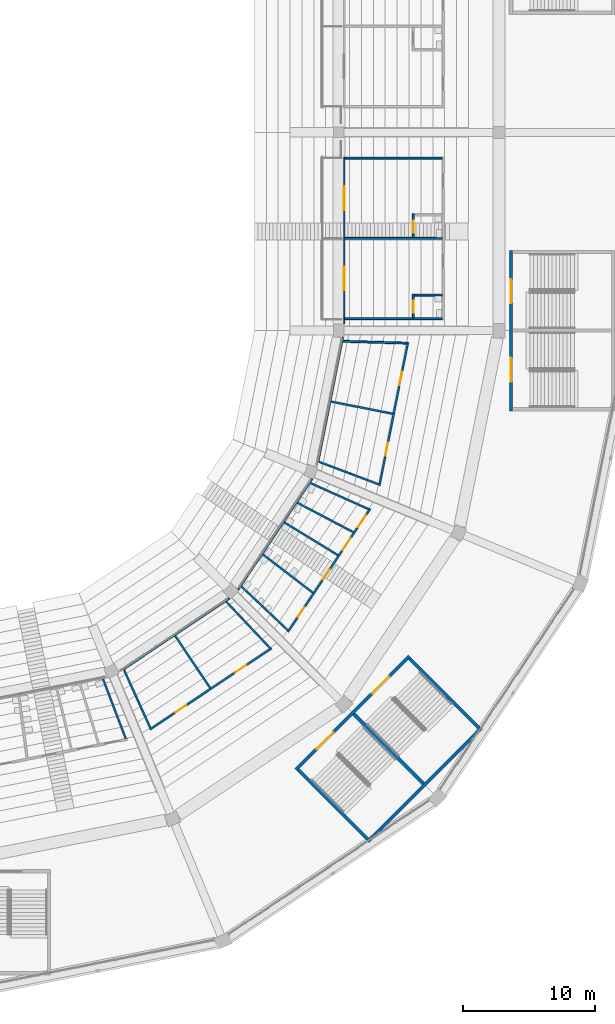
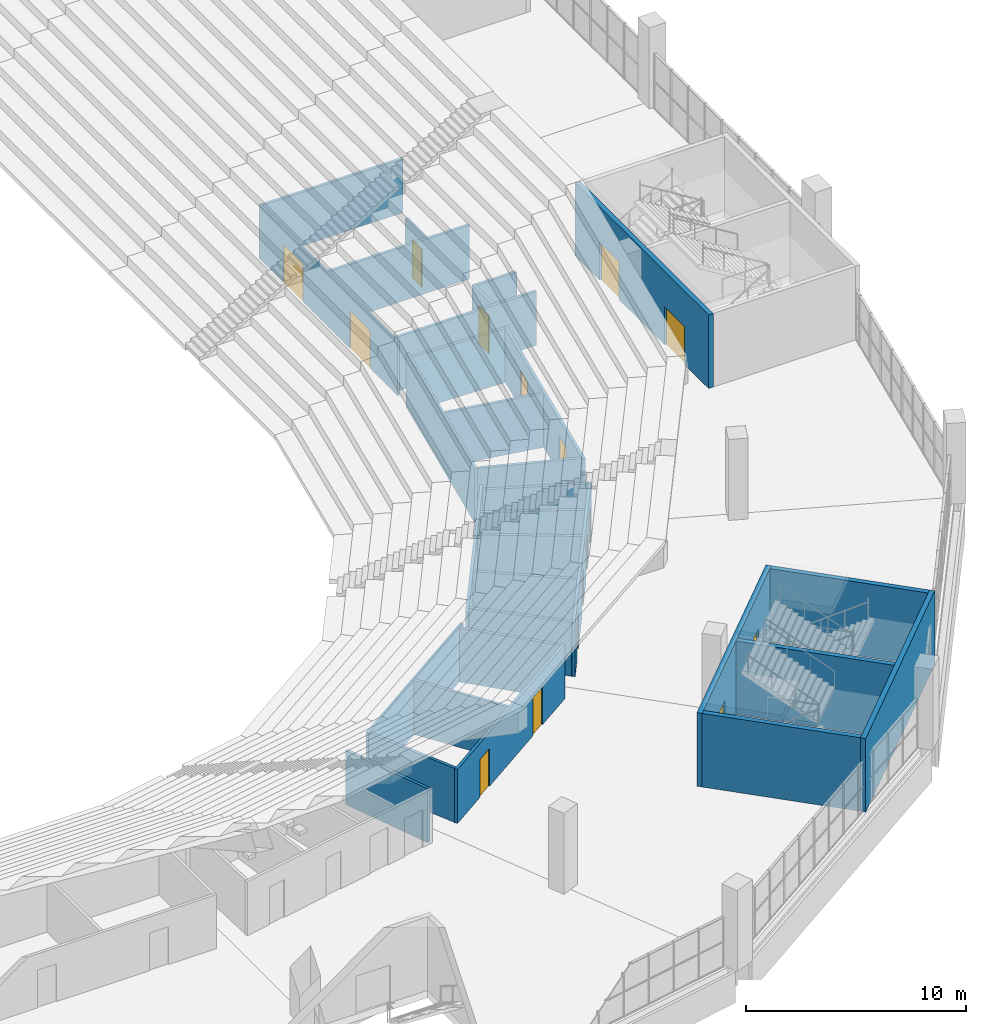
# One storey, part 91 of 249: 31 walls, 16 doors, 16 openings.
"""IFC4 building model written with IfcOpenShell, lengths in metres."""

from ifc_helpers import new_model, si_unit, direction, frame, frame_2d, origin, place, context, subcontext, project, spatial, rectangle, extrude, material, layer, layer_set, type_object, element, fill, save


model = new_model("IFC4")

# Units and contexts
model_context = context("Model", 3, precision=1e-05, world=origin(), true_north=direction((0.0, 1.0)))
body_context = subcontext(model_context, "Body", "Model", "MODEL_VIEW")
ifc_project = project(units=[si_unit("LENGTHUNIT", "METRE"), si_unit("AREAUNIT", "SQUARE_METRE"), si_unit("VOLUMEUNIT", "CUBIC_METRE"), si_unit("PLANEANGLEUNIT", "RADIAN"), si_unit("MASSUNIT", "GRAM", prefix="KILO")], contexts=[model_context])

# Site, building, storey
site_placement = place(None, origin())
site = spatial("IfcSite", under=ifc_project, at=site_placement, CompositionType="ELEMENT")
building_placement = place(site_placement, origin())
building = spatial("IfcBuilding", under=site, at=building_placement, Name="Ogive Plaza Stadium", CompositionType="ELEMENT")
storey_placement = place(building_placement, frame((0.0, 0.0, 13.5)))
storey = spatial("IfcBuildingStorey", under=building, at=storey_placement, Name="L03", CompositionType="ELEMENT", Elevation=13.5)

# Walls
ifc_material_1 = material(Name="Masonry blockwork", Category="masonry")
ifc_layer_1 = layer(ifc_material_1, 0.14990234375)
ifc_layer_set_1 = layer_set([ifc_layer_1], Name="Blockwork wall 150")
wall_type_1 = type_object("IfcWallType", Name="Blockwork wall 150", PredefinedType="SOLIDWALL", material=ifc_layer_set_1)
for number, where, z_axis, x_axis, name in (
    (1, (62.35009765625, -51.60009765625, 0.0), (0.0, 0.0, 1.0), (1.0, 0.0, 0.0), "Wall L03 B07"),
    (2, (62.35009765625, -45.52490234375, 0.0), (0.0, 0.0, 1.0), (1.0, 0.0, 0.0), "Wall L03 B07"),
    (3, (62.35009765625, -39.449951171875, 0.0), (0.0, 0.0, 1.0), (1.0, 0.0, 0.0), "Wall L03 B07"),
):
    element("IfcWall", number, at=place(storey_placement, frame(where, z_axis=z_axis, x_axis=x_axis)), inside=storey, type_object=wall_type_1, Name=name, PredefinedType="SOLIDWALL", context=body_context, shape_type="SweptSolid", body=[
        extrude(rectangle(XDim=7.375, YDim=0.14990234375, at=frame_2d((3.6875, 0.0))), origin(), (0.0, 0.0, 1.0), 3.0),
    ])
wall_1_placement = place(storey_placement, frame((62.200439453125, -53.0, 0.0), z_axis=(0.0, 0.0, 1.0), x_axis=(-0.195076647143, -0.980788000406, 0.0)))
element("IfcWall", 4, at=wall_1_placement, inside=storey, type_object=wall_type_1, Name="Wall L03 B08", PredefinedType="SOLIDWALL", context=body_context, shape_type="SweptSolid", body=[
    extrude(rectangle(XDim=9.666748046875, YDim=0.14990234375, at=frame_2d((4.83349609375, 0.0))), origin(), (0.0, 0.0, 1.0), 3.0),
])

# Wall, openings, doors
wall_2_placement = place(storey_placement, frame((67.1259765625, -53.374755859375, 0.0), z_axis=(0.0, 0.0, 1.0), x_axis=(-0.195090821685, -0.980785181013, 0.0)))
wall_2 = element("IfcWall", 5, at=wall_2_placement, inside=storey, type_object=wall_type_1, Name="Wall L03 B08", PredefinedType="SOLIDWALL", context=body_context, shape_type="SweptSolid", body=[
    extrude(rectangle(XDim=11.08251953125, YDim=0.14990234375, at=frame_2d((5.541259765625, 0.0))), origin(), (0.0, 0.0, 1.0), 3.0),
])
opening_1_placement = place(wall_2_placement, frame((2.311279296875, 0.0, 0.0)))
opening_1 = element("IfcOpeningElement", 6, at=opening_1_placement, cuts=wall_2, Name="Opening D0787", PredefinedType="OPENING", context=body_context, shape_type="SweptSolid", body=[
    extrude(rectangle(XDim=1.0, YDim=2.10009765625, at=frame_2d((0.5, 1.050048828125))), frame((0.0, 0.074951171875, 0.0), z_axis=(0.0, -1.0, 0.0), x_axis=(1.0, 0.0, 0.0)), (0.0, 0.0, 1.0), 0.14990234375),
])
opening_2_placement = place(wall_2_placement, frame((7.771240234375, 0.0, 0.0)))
opening_2 = element("IfcOpeningElement", 7, at=opening_2_placement, cuts=wall_2, Name="Opening D0788", PredefinedType="OPENING", context=body_context, shape_type="SweptSolid", body=[
    extrude(rectangle(XDim=1.0, YDim=2.10009765625, at=frame_2d((0.5, 1.050048828125))), frame((0.0, 0.074951171875, 0.0), z_axis=(0.0, -1.0, 0.0), x_axis=(1.0, 0.0, 0.0)), (0.0, 0.0, 1.0), 0.14990234375),
])
ifc_material_2 = material(Name="Steel ASTM A572 Grade 50", Category="steel")
door_type_1 = type_object("IfcDoorType", Name="Fire door FD60 1000 x 2100", OperationType="SINGLE_SWING_LEFT", PredefinedType="DOOR", material=ifc_material_2)
door_1_placement = place(opening_1_placement, origin())
door_1 = element("IfcDoor", 8, at=door_1_placement, inside=storey, type_object=door_type_1, Name="Hospitality Pantry B08 door", OperationType="SINGLE_SWING_LEFT", OverallHeight=2.10009765625, OverallWidth=1.0, PredefinedType="DOOR", context=body_context, shape_type="SweptSolid", body=[
    extrude(rectangle(XDim=1.0, YDim=2.10009765625, at=frame_2d((0.5, 1.050048828125))), frame((0.0, 0.02490234375, 0.0), z_axis=(0.0, -1.0, 0.0), x_axis=(1.0, 0.0, 0.0)), (0.0, 0.0, 1.0), 0.050048828125),
])
fill(opening_1, door_1)
door_2_placement = place(opening_2_placement, origin())
door_2 = element("IfcDoor", 9, at=door_2_placement, inside=storey, type_object=door_type_1, Name="Hospitality Store B08 door", OperationType="SINGLE_SWING_RIGHT", OverallHeight=2.10009765625, OverallWidth=1.0, PredefinedType="DOOR", context=body_context, shape_type="SweptSolid", body=[
    extrude(rectangle(XDim=1.0, YDim=2.10009765625, at=frame_2d((0.5, 1.050048828125))), frame((0.0, 0.02490234375, 0.0), z_axis=(0.0, -1.0, 0.0), x_axis=(1.0, 0.0, 0.0)), (0.0, 0.0, 1.0), 0.050048828125),
])
fill(opening_2, door_2)

# Walls
wall_3_placement = place(storey_placement, frame((62.213134765625, -53.313232421875, 0.0), z_axis=(0.0, 0.0, 1.0), x_axis=(0.999585372371, -0.028793807365, 0.0)))
element("IfcWall", 10, at=wall_3_placement, inside=storey, type_object=wall_type_1, Name="Wall L03 B08", PredefinedType="SOLIDWALL", context=body_context, shape_type="SweptSolid", body=[
    extrude(rectangle(XDim=4.824462890625, YDim=0.14990234375, at=frame_2d((2.412109375, 0.0))), origin(), (0.0, 0.0, 1.0), 3.0),
])
wall_4_placement = place(storey_placement, frame((61.3056640625, -57.87646484375, 0.0), z_axis=(0.0, 0.0, 1.0), x_axis=(0.98116065749, -0.193193592529, 0.0)))
element("IfcWall", 11, at=wall_4_placement, inside=storey, type_object=wall_type_1, Name="Wall L03 B08", PredefinedType="SOLIDWALL", context=body_context, shape_type="SweptSolid", body=[
    extrude(rectangle(XDim=4.756591796875, YDim=0.14990234375, at=frame_2d((2.37841796875, 0.0))), origin(), (0.0, 0.0, 1.0), 3.0),
])
wall_5_placement = place(storey_placement, frame((60.39794921875, -62.439697265625, 0.0), z_axis=(0.0, 0.0, 1.0), x_axis=(0.935851757489, -0.35239393866, 0.0)))
element("IfcWall", 12, at=wall_5_placement, inside=storey, type_object=wall_type_1, Name="Wall L03 B08", PredefinedType="SOLIDWALL", context=body_context, shape_type="SweptSolid", body=[
    extrude(rectangle(XDim=4.8212890625, YDim=0.14990234375, at=frame_2d((2.41064453125, 0.0))), origin(), (0.0, 0.0, 1.0), 3.0),
])
wall_6_placement = place(storey_placement, frame((53.629638671875, -72.76611328125, 0.0), z_axis=(0.0, 0.0, 1.0), x_axis=(-0.831481684117, -0.555552165847, 0.0)))
element("IfcWall", 13, at=wall_6_placement, inside=storey, type_object=wall_type_1, Name="Wall L03 B10", PredefinedType="SOLIDWALL", context=body_context, shape_type="SweptSolid", body=[
    extrude(rectangle(XDim=9.7177734375, YDim=0.14990234375, at=frame_2d((4.85888671875, 0.0))), origin(), (0.0, 0.0, 1.0), 3.0),
])

# Wall, openings, doors
wall_7_placement = place(storey_placement, frame((56.804931640625, -76.542236328125, 0.0), z_axis=(0.0, 0.0, 1.0), x_axis=(-0.831470287315, -0.555569222791, 0.0)))
wall_7 = element("IfcWall", 14, at=wall_7_placement, inside=storey, type_object=wall_type_1, Name="Wall L03 B10", PredefinedType="SOLIDWALL", context=body_context, shape_type="SweptSolid", body=[
    extrude(rectangle(XDim=11.082275390625, YDim=0.14990234375, at=frame_2d((5.541015625, 0.0))), origin(), (0.0, 0.0, 1.0), 3.0),
])
opening_3_placement = place(wall_7_placement, frame((2.311279296875, 0.0, 0.0)))
opening_3 = element("IfcOpeningElement", 15, at=opening_3_placement, cuts=wall_7, Name="Opening D0793", PredefinedType="OPENING", context=body_context, shape_type="SweptSolid", body=[
    extrude(rectangle(XDim=1.0, YDim=2.10009765625, at=frame_2d((0.5, 1.050048828125))), frame((0.0, 0.074951171875, 0.0), z_axis=(0.0, -1.0, 0.0), x_axis=(1.0, 0.0, 0.0)), (0.0, 0.0, 1.0), 0.14990234375),
])
opening_4_placement = place(wall_7_placement, frame((7.771240234375, 0.0, 0.0)))
opening_4 = element("IfcOpeningElement", 16, at=opening_4_placement, cuts=wall_7, Name="Opening D0794", PredefinedType="OPENING", context=body_context, shape_type="SweptSolid", body=[
    extrude(rectangle(XDim=1.0, YDim=2.10009765625, at=frame_2d((0.5, 1.050048828125))), frame((0.0, 0.074951171875, 0.0), z_axis=(0.0, -1.0, 0.0), x_axis=(1.0, 0.0, 0.0)), (0.0, 0.0, 1.0), 0.14990234375),
])
door_3_placement = place(opening_3_placement, origin())
door_3 = element("IfcDoor", 17, at=door_3_placement, inside=storey, type_object=door_type_1, Name="Hospitality Pantry B10 door", OperationType="SINGLE_SWING_LEFT", OverallHeight=2.10009765625, OverallWidth=1.0, PredefinedType="DOOR", context=body_context, shape_type="SweptSolid", body=[
    extrude(rectangle(XDim=1.0, YDim=2.10009765625, at=frame_2d((0.5, 1.050048828125))), frame((0.0, 0.02490234375, 0.0), z_axis=(0.0, -1.0, 0.0), x_axis=(1.0, 0.0, 0.0)), (0.0, 0.0, 1.0), 0.050048828125),
])
fill(opening_3, door_3)
door_4_placement = place(opening_4_placement, origin())
door_4 = element("IfcDoor", 18, at=door_4_placement, inside=storey, type_object=door_type_1, Name="Hospitality Store B10 door", OperationType="SINGLE_SWING_RIGHT", OverallHeight=2.10009765625, OverallWidth=1.0, PredefinedType="DOOR", context=body_context, shape_type="SweptSolid", body=[
    extrude(rectangle(XDim=1.0, YDim=2.10009765625, at=frame_2d((0.5, 1.050048828125))), frame((0.0, 0.02490234375, 0.0), z_axis=(0.0, -1.0, 0.0), x_axis=(1.0, 0.0, 0.0)), (0.0, 0.0, 1.0), 0.050048828125),
])
fill(opening_4, door_4)

# Walls
wall_8_placement = place(storey_placement, frame((53.374755859375, -73.02490234375, 0.0), z_axis=(0.0, 0.0, 1.0), x_axis=(0.686443701672, -0.727182951144, 0.0)))
element("IfcWall", 19, at=wall_8_placement, inside=storey, type_object=wall_type_1, Name="Wall L03 B10", PredefinedType="SOLIDWALL", context=body_context, shape_type="SweptSolid", body=[
    extrude(rectangle(XDim=4.82421875, YDim=0.14990234375, at=frame_2d((2.412109375, 0.0))), origin(), (0.0, 0.0, 1.0), 3.0),
])
wall_9_placement = place(storey_placement, frame((49.50634765625, -75.609619140625, 0.0), z_axis=(0.0, 0.0, 1.0), x_axis=(0.557185009832, -0.830388381915, 0.0)))
element("IfcWall", 20, at=wall_9_placement, inside=storey, type_object=wall_type_1, Name="Wall L03 B10", PredefinedType="SOLIDWALL", context=body_context, shape_type="SweptSolid", body=[
    extrude(rectangle(XDim=4.7568359375, YDim=0.14990234375, at=frame_2d((2.37841796875, 0.0))), origin(), (0.0, 0.0, 1.0), 3.0),
])
wall_10_placement = place(storey_placement, frame((45.6376953125, -78.194580078125, 0.0), z_axis=(0.0, 0.0, 1.0), x_axis=(0.412593178732, -0.910915401596, 0.0)))
element("IfcWall", 21, at=wall_10_placement, inside=storey, type_object=wall_type_1, Name="Wall L03 B10", PredefinedType="SOLIDWALL", context=body_context, shape_type="SweptSolid", body=[
    extrude(rectangle(XDim=4.8212890625, YDim=0.14990234375, at=frame_2d((2.41064453125, 0.0))), origin(), (0.0, 0.0, 1.0), 3.0),
])

# Wall, openings, doors
ifc_material_3 = material(Name="Concrete C40/50", Category="concrete")
ifc_layer_2 = layer(ifc_material_3, 0.25)
ifc_layer_set_2 = layer_set([ifc_layer_2], Name="Concrete C40/50")
wall_type_2 = type_object("IfcWallType", Name="Core wall 250", PredefinedType="SHEAR", material=ifc_layer_set_2)
wall_11_placement = place(storey_placement, frame((74.925048828125, -58.574951171875, 0.0), z_axis=(0.0, 0.0, 1.0), x_axis=(0.0, 1.0, 0.0)))
wall_11 = element("IfcWall", 22, at=wall_11_placement, inside=storey, type_object=wall_type_2, Name="Stair core R08 inner wall", PredefinedType="SHEAR", context=body_context, shape_type="SweptSolid", body=[
    extrude(rectangle(XDim=12.14990234375, YDim=0.25, at=frame_2d((6.074951171875, 0.0))), origin(), (0.0, 0.0, 1.0), 4.090087890625),
])
opening_5_placement = place(wall_11_placement, frame((2.199951171875, 0.0, 0.0)))
opening_5 = element("IfcOpeningElement", 23, at=opening_5_placement, cuts=wall_11, Name="Opening D0087", PredefinedType="OPENING", context=body_context, shape_type="SweptSolid", body=[
    extrude(rectangle(XDim=1.800048828125, YDim=2.10009765625, at=frame_2d((0.89990234375, 1.050048828125))), frame((0.0, 0.125, 0.0), z_axis=(0.0, -1.0, 0.0), x_axis=(1.0, 0.0, 0.0)), (0.0, 0.0, 1.0), 0.25),
])
opening_6_placement = place(wall_11_placement, frame((8.14990234375, 0.0, 0.0)))
opening_6 = element("IfcOpeningElement", 24, at=opening_6_placement, cuts=wall_11, Name="Opening D0088", PredefinedType="OPENING", context=body_context, shape_type="SweptSolid", body=[
    extrude(rectangle(XDim=1.800048828125, YDim=2.10009765625, at=frame_2d((0.89990234375, 1.050048828125))), frame((0.0, 0.125, 0.0), z_axis=(0.0, -1.0, 0.0), x_axis=(1.0, 0.0, 0.0)), (0.0, 0.0, 1.0), 0.25),
])
ifc_material_4 = material(Name="Steel ASTM A572 Grade 50", Category="steel")
door_type_2 = type_object("IfcDoorType", Name="Fire door FD90 pair 1800 x 2100", OperationType="DOUBLE_DOOR_SINGLE_SWING", PredefinedType="DOOR", material=ifc_material_4)
door_5_placement = place(opening_5_placement, origin())
door_5 = element("IfcDoor", 25, at=door_5_placement, inside=storey, type_object=door_type_2, Name="Exit stair R08A door L03", OperationType="DOUBLE_DOOR_SINGLE_SWING", OverallHeight=2.10009765625, OverallWidth=1.800048828125, PredefinedType="DOOR", context=body_context, shape_type="SweptSolid", body=[
    extrude(rectangle(XDim=1.800048828125, YDim=2.10009765625, at=frame_2d((0.89990234375, 1.050048828125))), frame((0.0, 0.02490234375, 0.0), z_axis=(0.0, -1.0, 0.0), x_axis=(1.0, 0.0, 0.0)), (0.0, 0.0, 1.0), 0.050048828125),
])
fill(opening_5, door_5)
door_6_placement = place(opening_6_placement, origin())
door_6 = element("IfcDoor", 26, at=door_6_placement, inside=storey, type_object=door_type_2, Name="Exit stair R08B door L03", OperationType="DOUBLE_DOOR_SINGLE_SWING", OverallHeight=2.10009765625, OverallWidth=1.800048828125, PredefinedType="DOOR", context=body_context, shape_type="SweptSolid", body=[
    extrude(rectangle(XDim=1.800048828125, YDim=2.10009765625, at=frame_2d((0.89990234375, 1.050048828125))), frame((0.0, 0.02490234375, 0.0), z_axis=(0.0, -1.0, 0.0), x_axis=(1.0, 0.0, 0.0)), (0.0, 0.0, 1.0), 0.050048828125),
])
fill(opening_6, door_6)

wall_12_placement = place(storey_placement, frame((58.642578125, -85.734130859375, 0.0), z_axis=(0.0, 0.0, 1.0), x_axis=(0.707106781187, 0.707106781187, 0.0)))
wall_12 = element("IfcWall", 27, at=wall_12_placement, inside=storey, type_object=wall_type_2, Name="Stair core R10 inner wall", PredefinedType="SHEAR", context=body_context, shape_type="SweptSolid", body=[
    extrude(rectangle(XDim=12.150390625, YDim=0.25, at=frame_2d((6.0751953125, 0.0))), origin(), (0.0, 0.0, 1.0), 4.090087890625),
])
opening_7_placement = place(wall_12_placement, frame((2.199951171875, 0.0, 0.0)))
opening_7 = element("IfcOpeningElement", 28, at=opening_7_placement, cuts=wall_12, Name="Opening D0099", PredefinedType="OPENING", context=body_context, shape_type="SweptSolid", body=[
    extrude(rectangle(XDim=1.800048828125, YDim=2.10009765625, at=frame_2d((0.89990234375, 1.050048828125))), frame((0.0, 0.125, 0.0), z_axis=(0.0, -1.0, 0.0), x_axis=(1.0, 0.0, 0.0)), (0.0, 0.0, 1.0), 0.25),
])
opening_8_placement = place(wall_12_placement, frame((8.14990234375, 0.0, 0.0)))
opening_8 = element("IfcOpeningElement", 29, at=opening_8_placement, cuts=wall_12, Name="Opening D0100", PredefinedType="OPENING", context=body_context, shape_type="SweptSolid", body=[
    extrude(rectangle(XDim=1.800048828125, YDim=2.10009765625, at=frame_2d((0.89990234375, 1.050048828125))), frame((0.0, 0.125, 0.0), z_axis=(0.0, -1.0, 0.0), x_axis=(1.0, 0.0, 0.0)), (0.0, 0.0, 1.0), 0.25),
])
door_7_placement = place(opening_7_placement, origin())
door_7 = element("IfcDoor", 30, at=door_7_placement, inside=storey, type_object=door_type_2, Name="Exit stair R10A door L03", OperationType="DOUBLE_DOOR_SINGLE_SWING", OverallHeight=2.10009765625, OverallWidth=1.800048828125, PredefinedType="DOOR", context=body_context, shape_type="SweptSolid", body=[
    extrude(rectangle(XDim=1.800048828125, YDim=2.10009765625, at=frame_2d((0.89990234375, 1.050048828125))), frame((0.0, 0.02490234375, 0.0), z_axis=(0.0, -1.0, 0.0), x_axis=(1.0, 0.0, 0.0)), (0.0, 0.0, 1.0), 0.050048828125),
])
fill(opening_7, door_7)
door_8_placement = place(opening_8_placement, origin())
door_8 = element("IfcDoor", 31, at=door_8_placement, inside=storey, type_object=door_type_2, Name="Exit stair R10B door L03", OperationType="DOUBLE_DOOR_SINGLE_SWING", OverallHeight=2.10009765625, OverallWidth=1.800048828125, PredefinedType="DOOR", context=body_context, shape_type="SweptSolid", body=[
    extrude(rectangle(XDim=1.800048828125, YDim=2.10009765625, at=frame_2d((0.89990234375, 1.050048828125))), frame((0.0, 0.02490234375, 0.0), z_axis=(0.0, -1.0, 0.0), x_axis=(1.0, 0.0, 0.0)), (0.0, 0.0, 1.0), 0.050048828125),
])
fill(opening_8, door_8)

# Walls
wall_13_placement = place(storey_placement, frame((64.094482421875, -91.185791015625, 0.0), z_axis=(0.0, 0.0, 1.0), x_axis=(0.707106781187, 0.707106781187, 0.0)))
element("IfcWall", 32, at=wall_13_placement, inside=storey, type_object=wall_type_2, Name="Stair core R10 outer wall", PredefinedType="SHEAR", context=body_context, shape_type="SweptSolid", body=[
    extrude(rectangle(XDim=12.14990234375, YDim=0.25, at=frame_2d((6.074951171875, 0.0))), origin(), (0.0, 0.0, 1.0), 4.090087890625),
])
for number, where, z_axis, x_axis, name in (
    (33, (58.8193359375, -85.734130859375, 0.0), (0.0, 0.0, 1.0), (0.707123144286, -0.707090417709, 0.0), "Stair core R10 side wall"),
    (34, (67.234130859375, -77.3193359375, 0.0), (0.0, 0.0, 1.0), (0.707090417709, -0.707123144286, 0.0), "Stair core R10 side wall"),
):
    element("IfcWall", number, at=place(storey_placement, frame(where, z_axis=z_axis, x_axis=x_axis)), inside=storey, type_object=wall_type_2, Name=name, PredefinedType="SHEAR", context=body_context, shape_type="SweptSolid", body=[
        extrude(rectangle(XDim=7.4599609375, YDim=0.25, at=frame_2d((3.72998046875, 0.0))), origin(), (0.0, 0.0, 1.0), 4.090087890625),
    ])
wall_14_placement = place(storey_placement, frame((63.026611328125, -81.526611328125, 0.0), z_axis=(0.0, 0.0, 1.0), x_axis=(0.707106781187, -0.707106781187, 0.0)))
element("IfcWall", 35, at=wall_14_placement, inside=storey, type_object=wall_type_2, Name="Stair core R10 centre wall", PredefinedType="SHEAR", context=body_context, shape_type="SweptSolid", body=[
    extrude(rectangle(XDim=7.460205078125, YDim=0.25, at=frame_2d((3.72998046875, 0.0))), origin(), (0.0, 0.0, 1.0), 4.090087890625),
])

# Wall, openings, doors
ifc_material_5 = material(Name="Laminated glass in aluminium frame", Category="aluminium")
ifc_layer_3 = layer(ifc_material_5, 0.10009765625)
ifc_layer_set_3 = layer_set([ifc_layer_3], Name="Glazed partition 100")
wall_type_3 = type_object("IfcWallType", Name="Glazed partition 100", PredefinedType="PARTITIONING", material=ifc_layer_set_3)
wall_15_placement = place(storey_placement, frame((62.300048828125, -52.0, 0.0), z_axis=(0.0, 0.0, 1.0), x_axis=(0.0, 1.0, 0.0)))
wall_15 = element("IfcWall", 36, at=wall_15_placement, inside=storey, type_object=wall_type_3, Name="Wall L03 B07", PredefinedType="PARTITIONING", context=body_context, shape_type="SweptSolid", body=[
    extrude(rectangle(XDim=12.625, YDim=0.10009765625, at=frame_2d((6.3125, 0.0))), origin(), (0.0, 0.0, 1.0), 3.0),
])
opening_9_placement = place(wall_15_placement, frame((2.53759765625, 0.0, 0.0)))
opening_9 = element("IfcOpeningElement", 37, at=opening_9_placement, cuts=wall_15, Name="Opening D0783", PredefinedType="OPENING", context=body_context, shape_type="SweptSolid", body=[
    extrude(rectangle(XDim=1.800048828125, YDim=2.10009765625, at=frame_2d((0.89990234375, 1.050048828125))), frame((0.0, 0.050048828125, 0.0), z_axis=(0.0, -1.0, 0.0), x_axis=(1.0, 0.0, 0.0)), (0.0, 0.0, 1.0), 0.10009765625),
])
opening_10_placement = place(wall_15_placement, frame((8.612548828125, 0.0, 0.0)))
opening_10 = element("IfcOpeningElement", 38, at=opening_10_placement, cuts=wall_15, Name="Opening D0784", PredefinedType="OPENING", context=body_context, shape_type="SweptSolid", body=[
    extrude(rectangle(XDim=1.800048828125, YDim=2.10009765625, at=frame_2d((0.89990234375, 1.050048828125))), frame((0.0, 0.050048828125, 0.0), z_axis=(0.0, -1.0, 0.0), x_axis=(1.0, 0.0, 0.0)), (0.0, 0.0, 1.0), 0.10009765625),
])
ifc_material_6 = material(Name="Steel ASTM A572 Grade 50", Category="steel")
door_type_3 = type_object("IfcDoorType", Name="Door pair 1800 x 2100", OperationType="DOUBLE_DOOR_SINGLE_SWING", PredefinedType="DOOR", material=ifc_material_6)
door_9_placement = place(opening_9_placement, origin())
door_9 = element("IfcDoor", 39, at=door_9_placement, inside=storey, type_object=door_type_3, Name="Suite terrace door B07", OperationType="DOUBLE_DOOR_SINGLE_SWING", OverallHeight=2.10009765625, OverallWidth=1.800048828125, PredefinedType="DOOR", context=body_context, shape_type="SweptSolid", body=[
    extrude(rectangle(XDim=1.800048828125, YDim=2.10009765625, at=frame_2d((0.89990234375, 1.050048828125))), frame((0.0, 0.02490234375, 0.0), z_axis=(0.0, -1.0, 0.0), x_axis=(1.0, 0.0, 0.0)), (0.0, 0.0, 1.0), 0.050048828125),
])
fill(opening_9, door_9)
door_10_placement = place(opening_10_placement, origin())
door_10 = element("IfcDoor", 40, at=door_10_placement, inside=storey, type_object=door_type_3, Name="Suite terrace door B07", OperationType="DOUBLE_DOOR_SINGLE_SWING", OverallHeight=2.10009765625, OverallWidth=1.800048828125, PredefinedType="DOOR", context=body_context, shape_type="SweptSolid", body=[
    extrude(rectangle(XDim=1.800048828125, YDim=2.10009765625, at=frame_2d((0.89990234375, 1.050048828125))), frame((0.0, 0.02490234375, 0.0), z_axis=(0.0, -1.0, 0.0), x_axis=(1.0, 0.0, 0.0)), (0.0, 0.0, 1.0), 0.050048828125),
])
fill(opening_10, door_10)

# Wall, opening, door
ifc_material_7 = material(Name="Gypsum board partition", Category="gypsum")
ifc_layer_4 = layer(ifc_material_7, 0.14990234375)
ifc_layer_set_4 = layer_set([ifc_layer_4], Name="Partition 150")
wall_type_4 = type_object("IfcWallType", Name="Partition 150", PredefinedType="PARTITIONING", material=ifc_layer_set_4)
wall_16_placement = place(storey_placement, frame((67.52490234375, -51.52490234375, 0.0), z_axis=(0.0, 0.0, 1.0), x_axis=(0.0, 1.0, 0.0)))
wall_16 = element("IfcWall", 41, at=wall_16_placement, inside=storey, type_object=wall_type_4, Name="Wall L03 B07", PredefinedType="PARTITIONING", context=body_context, shape_type="SweptSolid", body=[
    extrude(rectangle(XDim=1.77490234375, YDim=0.14990234375, at=frame_2d((0.887451171875, 0.0))), origin(), (0.0, 0.0, 1.0), 3.0),
])
opening_11_placement = place(wall_16_placement, frame((0.362548828125, 0.0, 0.0)))
opening_11 = element("IfcOpeningElement", 42, at=opening_11_placement, cuts=wall_16, Name="Opening D0785", PredefinedType="OPENING", context=body_context, shape_type="SweptSolid", body=[
    extrude(rectangle(XDim=0.89990234375, YDim=2.10009765625, at=frame_2d((0.449951171875, 1.050048828125))), frame((0.0, 0.074951171875, 0.0), z_axis=(0.0, -1.0, 0.0), x_axis=(1.0, 0.0, 0.0)), (0.0, 0.0, 1.0), 0.14990234375),
])
ifc_material_8 = material(Name="Steel ASTM A572 Grade 50", Category="steel")
door_type_4 = type_object("IfcDoorType", Name="Door 900 x 2100", OperationType="SINGLE_SWING_LEFT", PredefinedType="DOOR", material=ifc_material_8)
door_11_placement = place(opening_11_placement, origin())
door_11 = element("IfcDoor", 43, at=door_11_placement, inside=storey, type_object=door_type_4, Name="Suite WC B07 door", OperationType="SINGLE_SWING_RIGHT", OverallHeight=2.10009765625, OverallWidth=0.89990234375, PredefinedType="DOOR", context=body_context, shape_type="SweptSolid", body=[
    extrude(rectangle(XDim=0.89990234375, YDim=2.10009765625, at=frame_2d((0.449951171875, 1.050048828125))), frame((0.0, 0.02490234375, 0.0), z_axis=(0.0, -1.0, 0.0), x_axis=(1.0, 0.0, 0.0)), (0.0, 0.0, 1.0), 0.050048828125),
])
fill(opening_11, door_11)

# Wall
wall_17_placement = place(storey_placement, frame((67.60009765625, -49.824951171875, 0.0), z_axis=(0.0, 0.0, 1.0), x_axis=(1.0, 0.0, 0.0)))
element("IfcWall", 44, at=wall_17_placement, inside=storey, type_object=wall_type_4, Name="Wall L03 B07", PredefinedType="PARTITIONING", context=body_context, shape_type="SweptSolid", body=[
    extrude(rectangle(XDim=2.125, YDim=0.14990234375, at=frame_2d((1.0625, 0.0))), origin(), (0.0, 0.0, 1.0), 3.0),
])

# Wall, opening, door
wall_18_placement = place(storey_placement, frame((67.52490234375, -45.449951171875, 0.0), z_axis=(0.0, 0.0, 1.0), x_axis=(0.0, 1.0, 0.0)))
wall_18 = element("IfcWall", 45, at=wall_18_placement, inside=storey, type_object=wall_type_4, Name="Wall L03 B07", PredefinedType="PARTITIONING", context=body_context, shape_type="SweptSolid", body=[
    extrude(rectangle(XDim=1.77490234375, YDim=0.14990234375, at=frame_2d((0.887451171875, 0.0))), origin(), (0.0, 0.0, 1.0), 3.0),
])
opening_12_placement = place(wall_18_placement, frame((0.362548828125, 0.0, 0.0)))
opening_12 = element("IfcOpeningElement", 46, at=opening_12_placement, cuts=wall_18, Name="Opening D0786", PredefinedType="OPENING", context=body_context, shape_type="SweptSolid", body=[
    extrude(rectangle(XDim=0.89990234375, YDim=2.10009765625, at=frame_2d((0.449951171875, 1.050048828125))), frame((0.0, 0.074951171875, 0.0), z_axis=(0.0, -1.0, 0.0), x_axis=(1.0, 0.0, 0.0)), (0.0, 0.0, 1.0), 0.14990234375),
])
door_12_placement = place(opening_12_placement, origin())
door_12 = element("IfcDoor", 47, at=door_12_placement, inside=storey, type_object=door_type_4, Name="Suite WC B07 door", OperationType="SINGLE_SWING_LEFT", OverallHeight=2.10009765625, OverallWidth=0.89990234375, PredefinedType="DOOR", context=body_context, shape_type="SweptSolid", body=[
    extrude(rectangle(XDim=0.89990234375, YDim=2.10009765625, at=frame_2d((0.449951171875, 1.050048828125))), frame((0.0, 0.02490234375, 0.0), z_axis=(0.0, -1.0, 0.0), x_axis=(1.0, 0.0, 0.0)), (0.0, 0.0, 1.0), 0.050048828125),
])
fill(opening_12, door_12)

# Wall
wall_19_placement = place(storey_placement, frame((54.26611328125, -72.129638671875, 0.0), z_axis=(0.0, 0.0, 1.0), x_axis=(0.555562437394, 0.83147482112, 0.0)))
element("IfcWall", 48, at=wall_19_placement, inside=storey, type_object=wall_type_4, Name="Wall L03 B09", PredefinedType="PARTITIONING", context=body_context, shape_type="SweptSolid", body=[
    extrude(rectangle(XDim=10.12451171875, YDim=0.14990234375, at=frame_2d((5.062255859375, 0.0))), origin(), (0.0, 0.0, 1.0), 3.0),
])

# Wall, openings, doors
wall_20_placement = place(storey_placement, frame((58.042236328125, -75.304931640625, 0.0), z_axis=(0.0, 0.0, 1.0), x_axis=(0.555569460176, 0.8314701287, 0.0)))
wall_20 = element("IfcWall", 49, at=wall_20_placement, inside=storey, type_object=wall_type_4, Name="Wall L03 B09", PredefinedType="PARTITIONING", context=body_context, shape_type="SweptSolid", body=[
    extrude(rectangle(XDim=11.208740234375, YDim=0.14990234375, at=frame_2d((5.6044921875, 0.0))), origin(), (0.0, 0.0, 1.0), 3.0),
])
opening_13_placement = place(wall_20_placement, frame((1.34326171875, 0.0, 0.0)))
opening_13 = element("IfcOpeningElement", 50, at=opening_13_placement, cuts=wall_20, Name="Opening D0789", PredefinedType="OPENING", context=body_context, shape_type="SweptSolid", body=[
    extrude(rectangle(XDim=0.89990234375, YDim=2.10009765625, at=frame_2d((0.449951171875, 1.050048828125))), frame((0.0, 0.074951171875, 0.0), z_axis=(0.0, -1.0, 0.0), x_axis=(1.0, 0.0, 0.0)), (0.0, 0.0, 1.0), 0.14990234375),
])
opening_14_placement = place(wall_20_placement, frame((4.767822265625, 0.0, 0.0)))
opening_14 = element("IfcOpeningElement", 51, at=opening_14_placement, cuts=wall_20, Name="Opening D0790", PredefinedType="OPENING", context=body_context, shape_type="SweptSolid", body=[
    extrude(rectangle(XDim=0.89990234375, YDim=2.10009765625, at=frame_2d((0.449951171875, 1.050048828125))), frame((0.0, 0.074951171875, 0.0), z_axis=(0.0, -1.0, 0.0), x_axis=(1.0, 0.0, 0.0)), (0.0, 0.0, 1.0), 0.14990234375),
])
opening_15_placement = place(wall_20_placement, frame((7.4296875, 0.0, 0.0)))
opening_15 = element("IfcOpeningElement", 52, at=opening_15_placement, cuts=wall_20, Name="Opening D0791", PredefinedType="OPENING", context=body_context, shape_type="SweptSolid", body=[
    extrude(rectangle(XDim=1.10009765625, YDim=2.10009765625, at=frame_2d((0.550048828125, 1.050048828125))), frame((0.0, 0.074951171875, 0.0), z_axis=(0.0, -1.0, 0.0), x_axis=(1.0, 0.0, 0.0)), (0.0, 0.0, 1.0), 0.14990234375),
])
opening_16_placement = place(wall_20_placement, frame((9.528564453125, 0.0, 0.0)))
opening_16 = element("IfcOpeningElement", 53, at=opening_16_placement, cuts=wall_20, Name="Opening D0792", PredefinedType="OPENING", context=body_context, shape_type="SweptSolid", body=[
    extrude(rectangle(XDim=1.10009765625, YDim=2.10009765625, at=frame_2d((0.550048828125, 1.050048828125))), frame((0.0, 0.074951171875, 0.0), z_axis=(0.0, -1.0, 0.0), x_axis=(1.0, 0.0, 0.0)), (0.0, 0.0, 1.0), 0.14990234375),
])
ifc_material_9 = material(Name="Steel ASTM A572 Grade 50", Category="steel")
door_type_5 = type_object("IfcDoorType", Name="Accessible door 1100 x 2100", OperationType="SINGLE_SWING_LEFT", PredefinedType="DOOR", material=ifc_material_9)
door_13_placement = place(opening_15_placement, origin())
door_13 = element("IfcDoor", 54, at=door_13_placement, inside=storey, type_object=door_type_5, Name="Accessible WC B09 door", OperationType="SINGLE_SWING_LEFT", OverallHeight=2.10009765625, OverallWidth=1.10009765625, PredefinedType="DOOR", context=body_context, shape_type="SweptSolid", body=[
    extrude(rectangle(XDim=1.10009765625, YDim=2.10009765625, at=frame_2d((0.550048828125, 1.050048828125))), frame((0.0, 0.02490234375, 0.0), z_axis=(0.0, -1.0, 0.0), x_axis=(1.0, 0.0, 0.0)), (0.0, 0.0, 1.0), 0.050048828125),
])
fill(opening_15, door_13)
door_14_placement = place(opening_16_placement, origin())
door_14 = element("IfcDoor", 55, at=door_14_placement, inside=storey, type_object=door_type_5, Name="Family WC B09 door", OperationType="SINGLE_SWING_LEFT", OverallHeight=2.10009765625, OverallWidth=1.10009765625, PredefinedType="DOOR", context=body_context, shape_type="SweptSolid", body=[
    extrude(rectangle(XDim=1.10009765625, YDim=2.10009765625, at=frame_2d((0.550048828125, 1.050048828125))), frame((0.0, 0.02490234375, 0.0), z_axis=(0.0, -1.0, 0.0), x_axis=(1.0, 0.0, 0.0)), (0.0, 0.0, 1.0), 0.050048828125),
])
fill(opening_16, door_14)
door_15_placement = place(opening_13_placement, origin())
door_15 = element("IfcDoor", 56, at=door_15_placement, inside=storey, type_object=door_type_4, Name="Men's Toilet B09 door", OperationType="SINGLE_SWING_RIGHT", OverallHeight=2.10009765625, OverallWidth=0.89990234375, PredefinedType="DOOR", context=body_context, shape_type="SweptSolid", body=[
    extrude(rectangle(XDim=0.89990234375, YDim=2.10009765625, at=frame_2d((0.449951171875, 1.050048828125))), frame((0.0, 0.02490234375, 0.0), z_axis=(0.0, -1.0, 0.0), x_axis=(1.0, 0.0, 0.0)), (0.0, 0.0, 1.0), 0.050048828125),
])
fill(opening_13, door_15)
door_16_placement = place(opening_14_placement, origin())
door_16 = element("IfcDoor", 57, at=door_16_placement, inside=storey, type_object=door_type_4, Name="Women's Toilet B09 door", OperationType="SINGLE_SWING_RIGHT", OverallHeight=2.10009765625, OverallWidth=0.89990234375, PredefinedType="DOOR", context=body_context, shape_type="SweptSolid", body=[
    extrude(rectangle(XDim=0.89990234375, YDim=2.10009765625, at=frame_2d((0.449951171875, 1.050048828125))), frame((0.0, 0.02490234375, 0.0), z_axis=(0.0, -1.0, 0.0), x_axis=(1.0, 0.0, 0.0)), (0.0, 0.0, 1.0), 0.050048828125),
])
fill(opening_14, door_16)

# Walls
wall_21_placement = place(storey_placement, frame((54.52490234375, -71.874755859375, 0.0), z_axis=(0.0, 0.0, 1.0), x_axis=(0.727182951144, -0.686443701672, 0.0)))
element("IfcWall", 58, at=wall_21_placement, inside=storey, type_object=wall_type_4, Name="Wall L03 B09", PredefinedType="PARTITIONING", context=body_context, shape_type="SweptSolid", body=[
    extrude(rectangle(XDim=4.82421875, YDim=0.14990234375, at=frame_2d((2.412109375, 0.0))), origin(), (0.0, 0.0, 1.0), 3.0),
])
wall_22_placement = place(storey_placement, frame((56.14599609375, -69.448486328125, 0.0), z_axis=(0.0, 0.0, 1.0), x_axis=(0.794129534094, -0.607748536057, 0.0)))
element("IfcWall", 59, at=wall_22_placement, inside=storey, type_object=wall_type_4, Name="Wall L03 B09", PredefinedType="PARTITIONING", context=body_context, shape_type="SweptSolid", body=[
    extrude(rectangle(XDim=4.766845703125, YDim=0.14990234375, at=frame_2d((2.38330078125, 0.0))), origin(), (0.0, 0.0, 1.0), 3.0),
])
wall_23_placement = place(storey_placement, frame((57.76708984375, -67.022216796875, 0.0), z_axis=(0.0, 0.0, 1.0), x_axis=(0.853324930284, -0.521379481142, 0.0)))
element("IfcWall", 60, at=wall_23_placement, inside=storey, type_object=wall_type_4, Name="Wall L03 B09", PredefinedType="PARTITIONING", context=body_context, shape_type="SweptSolid", body=[
    extrude(rectangle(XDim=4.7607421875, YDim=0.14990234375, at=frame_2d((2.38037109375, 0.0))), origin(), (0.0, 0.0, 1.0), 3.0),
])
wall_24_placement = place(storey_placement, frame((58.7607421875, -65.53515625, 0.0), z_axis=(0.0, 0.0, 1.0), x_axis=(0.884880573932, -0.465817957874, 0.0)))
element("IfcWall", 61, at=wall_24_placement, inside=storey, type_object=wall_type_4, Name="Wall L03 B09", PredefinedType="PARTITIONING", context=body_context, shape_type="SweptSolid", body=[
    extrude(rectangle(XDim=4.782958984375, YDim=0.14990234375, at=frame_2d((2.3916015625, 0.0))), origin(), (0.0, 0.0, 1.0), 3.0),
])
wall_25_placement = place(storey_placement, frame((59.75439453125, -64.048095703125, 0.0), z_axis=(0.0, 0.0, 1.0), x_axis=(0.912468935825, -0.409145990025, 0.0)))
element("IfcWall", 62, at=wall_25_placement, inside=storey, type_object=wall_type_4, Name="Wall L03 B09", PredefinedType="PARTITIONING", context=body_context, shape_type="SweptSolid", body=[
    extrude(rectangle(XDim=4.824462890625, YDim=0.14990234375, at=frame_2d((2.412109375, 0.0))), origin(), (0.0, 0.0, 1.0), 3.0),
])
wall_26_placement = place(storey_placement, frame((44.04541015625, -78.876953125, 0.0), z_axis=(0.0, 0.0, 1.0), x_axis=(0.355921670207, -0.934515791561, 0.0)))
element("IfcWall", 63, at=wall_26_placement, inside=storey, type_object=wall_type_4, Name="Wall L03 B11", PredefinedType="PARTITIONING", context=body_context, shape_type="SweptSolid", body=[
    extrude(rectangle(XDim=4.82421875, YDim=0.14990234375, at=frame_2d((2.412109375, 0.0))), origin(), (0.0, 0.0, 1.0), 3.0),
])

save(model, "model.ifc")
